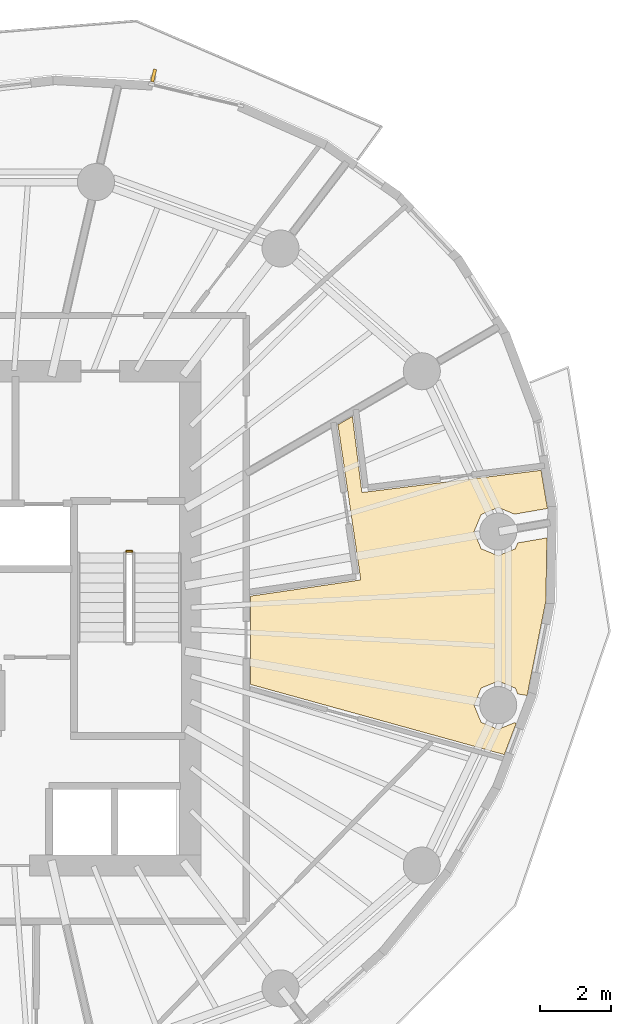
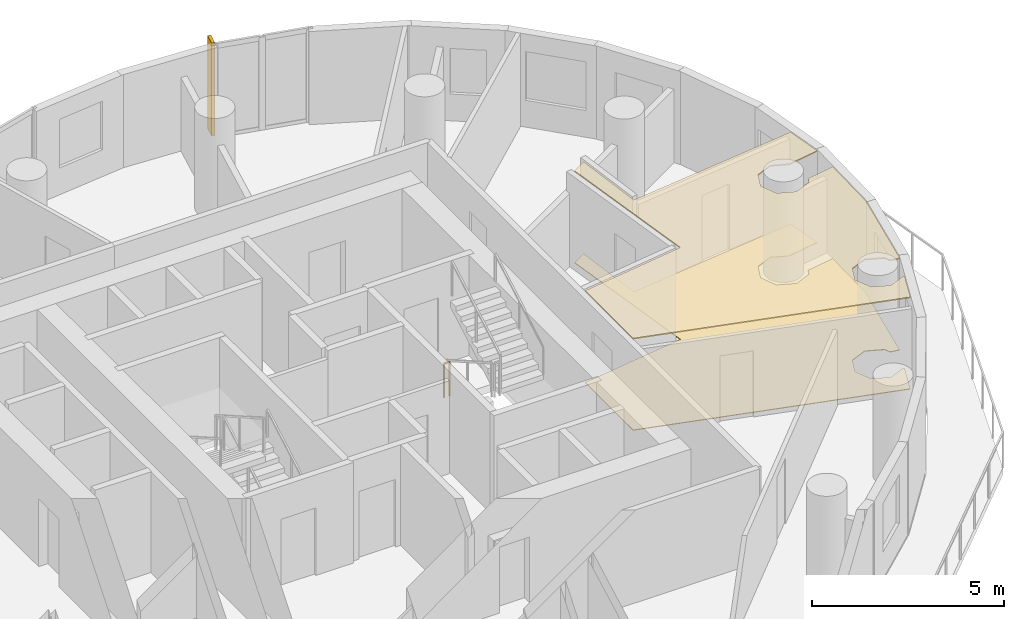
# One storey, part 13 of 13: 2 coverings, 1 railing, 1 shading device.
"""IFC4 building model written with IfcOpenShell, lengths in metres."""

import ifcopenshell
import ifcopenshell.guid

model = None  # the IFC model being written
_history = None  # IfcOwnerHistory: only IFC2X3 demands one
_inside = {}  # id of a spatial element -> (the spatial element, [elements in it])
_under = {}  # id of a project, library or spatial element -> (it, [spatial elements below it])
_declared = {}  # id of a project -> (the project, [libraries it declares])
_typed = {}  # id of a type object -> (the type object, [elements of that type])
_made_of = {}  # id of a material, layer set ... -> (it, [elements and type objects made of it])


def new_model(schema):
    """Start an empty IFC model of exactly this schema.

    Asked for "IFC4X3", IfcOpenShell would pick the latest addendum, in which some entities
    have other attributes; the version numbers below select the first issue.
    IFC2X3 requires an IfcOwnerHistory on every rooted entity: one is made here for all.
    """
    global model, _history
    if schema == "IFC4X3":
        model = ifcopenshell.file(schema_version=(4, 3, 0, 0))
    else:
        model = ifcopenshell.file(schema=schema)
    _inside.clear()
    _under.clear()
    _declared.clear()
    _typed.clear()
    _made_of.clear()
    _history = None
    if model.schema == "IFC2X3":
        org = make("IfcOrganization", Name="unknown")
        user = make(
            "IfcPersonAndOrganization",
            ThePerson=make("IfcPerson", FamilyName="unknown"),
            TheOrganization=org,
        )
        app = make(
            "IfcApplication",
            ApplicationDeveloper=org,
            Version="unknown",
            ApplicationFullName="unknown",
            ApplicationIdentifier="unknown",
        )
        _history = make(
            "IfcOwnerHistory",
            OwningUser=user,
            OwningApplication=app,
            ChangeAction="ADDED",
            CreationDate=0,
        )
    return model


def make(cls, **values):
    """One entity of the class cls with the attributes given. An attribute that is None is left unset."""
    return model.create_entity(
        cls, **{name: value for name, value in values.items() if value is not None}
    )


def rooted(cls, **values):
    """An entity with a GlobalId (a new one), such as an element, a storey or a relation."""
    return make(cls, GlobalId=ifcopenshell.guid.new(), OwnerHistory=_history, **values)


def si_unit(unit_type, name, prefix=None):
    """IfcSIUnit, for example si_unit("LENGTHUNIT", "METRE", prefix="MILLI")."""
    return make("IfcSIUnit", UnitType=unit_type, Prefix=prefix, Name=name)


def assignment(units):
    """IfcUnitAssignment: the units of a project."""
    return None if units is None else make("IfcUnitAssignment", Units=units)


def point(xyz):
    """IfcCartesianPoint."""
    return None if xyz is None else make("IfcCartesianPoint", Coordinates=xyz)


def direction(xyz):
    """IfcDirection."""
    return None if xyz is None else make("IfcDirection", DirectionRatios=xyz)


def frame(location, z_axis=None, x_axis=None):
    """IfcAxis2Placement3D, a coordinate frame: its origin and axes. An axis left out is left unset."""
    return make(
        "IfcAxis2Placement3D",
        Location=point(location),
        Axis=direction(z_axis),
        RefDirection=direction(x_axis),
    )


def frame_2d(location, x_axis=None):
    """IfcAxis2Placement2D, a coordinate frame in the plane: its origin and x axis."""
    return make(
        "IfcAxis2Placement2D", Location=point(location), RefDirection=direction(x_axis)
    )


def origin():
    """The frame at (0, 0, 0) with its axes left unset."""
    return frame((0.0, 0.0, 0.0))


def origin_2d():
    """The frame at (0, 0) in the plane with its x axis left unset."""
    return frame_2d((0.0, 0.0))


def place(relative_to, where):
    """IfcLocalPlacement: puts the frame where relative to a parent placement (None: the world)."""
    return make(
        "IfcLocalPlacement", PlacementRelTo=relative_to, RelativePlacement=where
    )


def context(
    kind, dimensions, precision=None, world=None, true_north=None, identifier=None
):
    """IfcGeometricRepresentationContext, for example the 3D "Model" context."""
    return make(
        "IfcGeometricRepresentationContext",
        ContextIdentifier=identifier,
        ContextType=kind,
        CoordinateSpaceDimension=dimensions,
        Precision=precision,
        WorldCoordinateSystem=world,
        TrueNorth=true_north,
    )


def subcontext(parent, identifier, kind, view, scale=None):
    """IfcGeometricRepresentationSubContext, for example "Body" below "Model"."""
    return make(
        "IfcGeometricRepresentationSubContext",
        ContextIdentifier=identifier,
        ContextType=kind,
        ParentContext=parent,
        TargetScale=scale,
        TargetView=view,
    )


def project(units=None, contexts=None):
    """IfcProject with its units and contexts."""
    return rooted(
        "IfcProject",
        Name="project",
        RepresentationContexts=contexts,
        UnitsInContext=assignment(units),
    )


def spatial(cls, under=None, at=None, **own):
    """A site, building, storey or space (cls), placed at a placement, below another one or the project."""
    s = rooted(cls, ObjectPlacement=at, **own)
    if under is not None:
        _under.setdefault(under.id(), (under, []))[1].append(s)
    return s


def polyline(points):
    """IfcPolyline through the points."""
    return make("IfcPolyline", Points=[point(p) for p in points])


def profile(cls, at=None, kind="AREA", **sizes):
    """A parametric profile (cls). Its sizes go by their IFC names, for example OverallWidth=200.0."""
    return make(cls, ProfileType=kind, Position=at, **sizes)


def rectangle(**sizes):
    """IfcRectangleProfileDef."""
    return profile("IfcRectangleProfileDef", **sizes)


def outline(outer, holes=None, kind="AREA"):
    """IfcArbitraryClosedProfileDef: a profile drawn as a closed curve; with holes, ...WithVoids."""
    if holes is None:
        return make("IfcArbitraryClosedProfileDef", ProfileType=kind, OuterCurve=outer)
    return make(
        "IfcArbitraryProfileDefWithVoids",
        ProfileType=kind,
        OuterCurve=outer,
        InnerCurves=holes,
    )


def extrude(swept, where, along, depth):
    """IfcExtrudedAreaSolid: the profile swept, set in the frame where, extruded along a direction by depth."""
    return make(
        "IfcExtrudedAreaSolid",
        SweptArea=swept,
        Position=where,
        ExtrudedDirection=direction(along),
        Depth=depth,
    )


def shape(context_of_items, identifier, shape_type, items):
    """IfcShapeRepresentation: the items that make up one representation, for example the "Body"."""
    return make(
        "IfcShapeRepresentation",
        ContextOfItems=context_of_items,
        RepresentationIdentifier=identifier,
        RepresentationType=shape_type,
        Items=items,
    )


def material(Name=None, Category=None):
    """IfcMaterial."""
    return make("IfcMaterial", Name=Name, Category=Category)


def layer(
    of_material, thickness, ventilated=None, Name=None, Category=None, Priority=None
):
    """IfcMaterialLayer: one layer of a wall or slab, of a material (None: an air gap)."""
    return make(
        "IfcMaterialLayer",
        Material=of_material,
        LayerThickness=thickness,
        IsVentilated=ventilated,
        Name=Name,
        Category=Category,
        Priority=Priority,
    )


def layer_set(layers, Name=None):
    """IfcMaterialLayerSet."""
    return make("IfcMaterialLayerSet", MaterialLayers=layers, LayerSetName=Name)


def made_of(thing, what):
    """Note that an element or type object is made of a material, layer set ...; save() writes the relation."""
    if what is not None:
        _made_of.setdefault(what.id(), (what, []))[1].append(thing)
    return thing


def type_object(cls, material=None, **own):
    """A type object (cls), such as IfcWallType, which elements share."""
    return made_of(rooted(cls, **own), material)


def element(
    cls,
    number,
    at=None,
    inside=None,
    cuts=None,
    type_object=None,
    material=None,
    context=None,
    identifier="Body",
    shape_type=None,
    held_by="IfcProductDefinitionShape",
    body=None,
    shapes=None,
    **own,
):
    """One element of the class cls, such as IfcWall. Its Tag is "e" and its number.

    at: its placement. inside: the storey or other place that contains it. cuts: it is an
    opening in that element (IfcRelVoidsElement). A single representation is given by context,
    identifier, shape_type and body (its items); several are given by shapes. held_by: the class
    of the entity that holds the representations. save() writes the other relations.
    """
    e = rooted(cls, Tag="e%d" % number, ObjectPlacement=at, **own)
    if body is not None:
        shapes = [shape(context, identifier, shape_type, body)]
    if shapes is not None:
        e.Representation = make(held_by, Representations=shapes)
    if inside is not None:
        _inside.setdefault(inside.id(), (inside, []))[1].append(e)
    if cuts is not None:
        rooted(
            "IfcRelVoidsElement", RelatingBuildingElement=cuts, RelatedOpeningElement=e
        )
    if type_object is not None:
        _typed.setdefault(type_object.id(), (type_object, []))[1].append(e)
    return made_of(e, material)


def aggregate(whole, parts):
    """IfcRelAggregates: a whole, such as a stair, and the parts it consists of."""
    return rooted("IfcRelAggregates", RelatingObject=whole, RelatedObjects=parts)


def save(model, path):
    """Write the relations noted so far, then the file.

    IfcRelAggregates (storeys below a building ...), IfcRelContainedInSpatialStructure (elements
    in a storey), IfcRelDefinesByType, IfcRelAssociatesMaterial and IfcRelDeclares: one each for
    every whole, place, type object, material and project.
    """
    for whole, parts in _under.values():
        aggregate(whole, parts)
    for where, things in _inside.values():
        rooted(
            "IfcRelContainedInSpatialStructure",
            RelatedElements=things,
            RelatingStructure=where,
        )
    for kind, things in _typed.values():
        rooted("IfcRelDefinesByType", RelatedObjects=things, RelatingType=kind)
    for what, things in _made_of.values():
        rooted("IfcRelAssociatesMaterial", RelatedObjects=things, RelatingMaterial=what)
    for by, libraries in _declared.values():
        rooted("IfcRelDeclares", RelatingContext=by, RelatedDefinitions=libraries)
    model.write(path)


model = new_model("IFC4")

# Units and contexts
model_context = context("Model", 3, precision=1e-05, world=origin(), true_north=direction((0.0, 1.0)))
body_context = subcontext(model_context, "Body", "Model", "MODEL_VIEW")
ifc_project = project(units=[si_unit("LENGTHUNIT", "METRE"), si_unit("AREAUNIT", "SQUARE_METRE"), si_unit("VOLUMEUNIT", "CUBIC_METRE"), si_unit("PLANEANGLEUNIT", "RADIAN"), si_unit("MASSUNIT", "GRAM", prefix="KILO")], contexts=[model_context])

# Site, building, storey
site_placement = place(None, origin())
site = spatial("IfcSite", under=ifc_project, at=site_placement, CompositionType="ELEMENT")
building_placement = place(site_placement, origin())
building = spatial("IfcBuilding", under=site, at=building_placement, Name="Veldorim Arch Residences", CompositionType="ELEMENT")
storey_placement = place(building_placement, frame((0.0, 0.0, 152.159912109375)))
storey = spatial("IfcBuildingStorey", under=building, at=storey_placement, Name="L45", CompositionType="ELEMENT", Elevation=152.159912109375)

# Railing
ifc_material_1 = material(Name="Steel S355", Category="steel")
railing_type = type_object("IfcRailingType", Name="Galvanised Steel Stair Safety Guardrail 1100", PredefinedType="GUARDRAIL", material=ifc_material_1)
railing_placement = place(storey_placement, frame((35.68994140625, 25.89990234375, 0.0)))
element("IfcRailing", 1, at=railing_placement, inside=storey, type_object=railing_type, Name="L45 ST-2 stair guard 4", PredefinedType="GUARDRAIL", context=body_context, shape_type="SweptSolid", body=[
    extrude(rectangle(XDim=0.048095703125, YDim=0.048095703125, at=origin_2d()), frame((0.0, 0.0, 1.076171875), z_axis=(1.0, 0.0, 0.0), x_axis=(0.0, 1.0, 0.0)), (0.0, 0.0, 1.0), 0.16015625),
    extrude(rectangle(XDim=0.0419921875, YDim=0.0419921875, at=origin_2d()), origin(), (0.0, 0.0, 1.0), 1.052001953125),
    extrude(rectangle(XDim=0.0419921875, YDim=0.0419921875, at=origin_2d()), frame((0.16015625, 0.0, 0.0)), (0.0, 0.0, 1.0), 1.052001953125),
])

# Coverings
ifc_material_2 = material(Name="Acoustic Gypsum & Mineral Fibre", Category="gypsum")
ifc_layer_1 = layer(ifc_material_2, 0.034912109375, Name="Perforated Acoustic Mineral-Fibre Ceiling 35")
ifc_layer_set_1 = layer_set([ifc_layer_1], Name="Acoustic Gypsum & Mineral Fibre")
covering_type_1 = type_object("IfcCoveringType", Name="Perforated Acoustic Mineral-Fibre Ceiling 35", PredefinedType="CEILING", material=ifc_layer_set_1)
covering_1_placement = place(storey_placement, frame((0.0, 0.0, 2.905029296875)))
element("IfcCovering", 2, at=covering_1_placement, inside=storey, type_object=covering_type_1, Name="L45 acoustic suspended ceiling 02", PredefinedType="CEILING", context=body_context, shape_type="SweptSolid", body=[
    extrude(outline(polyline([(46.734375, 21.038330078125), (46.39306640625, 20.142822265625), (39.199951171875, 22.1328125), (39.199951171875, 24.630859375), (42.32861328125, 25.090087890625), (41.68359375, 29.48388671875), (42.092529296875, 29.72119140625), (42.35888671875, 27.56689453125), (47.433349609375, 28.194580078125), (47.615966796875, 27.114013671875), (46.681396484375, 26.952392578125), (46.221435546875, 27.14306640625), (45.737060546875, 26.9423828125), (45.53662109375, 26.4580078125), (45.737060546875, 25.973876953125), (46.221435546875, 25.773193359375), (46.705810546875, 25.973876953125), (46.77392578125, 26.138916015625), (47.601806640625, 26.281982421875), (47.5693359375, 24.493896484375), (47.048583984375, 21.862548828125), (47.031005859375, 21.81689453125), (46.77392578125, 21.861083984375), (46.705810546875, 22.026123046875), (46.221435546875, 22.226806640625), (45.737060546875, 22.026123046875), (45.53662109375, 21.5419921875), (45.737060546875, 21.0576171875), (46.221435546875, 20.85693359375), (46.681396484375, 21.047607421875), (46.734375, 21.038330078125)])), origin(), (0.0, 0.0, 1.0), 0.03515625),
])
ifc_material_3 = material(Name="Porcelain Ceramic Tile", Category="ceramic")
ifc_layer_2 = layer(ifc_material_3, 0.02001953125, Name="Slip-Resistant Porcelain & Vinyl Floor Finish 20")
ifc_layer_set_2 = layer_set([ifc_layer_2], Name="Porcelain Ceramic Tile")
covering_type_2 = type_object("IfcCoveringType", Name="Slip-Resistant Porcelain & Vinyl Floor Finish 20", PredefinedType="FLOORING", material=ifc_layer_set_2)
covering_2_placement = place(storey_placement, origin())
element("IfcCovering", 3, at=covering_2_placement, inside=storey, type_object=covering_type_2, Name="L45 porcelain floor finish 02", PredefinedType="FLOORING", context=body_context, shape_type="SweptSolid", body=[
    extrude(outline(polyline([(46.734375, 21.038330078125), (46.39306640625, 20.142822265625), (39.199951171875, 22.1328125), (39.199951171875, 24.630859375), (42.32861328125, 25.090087890625), (41.68359375, 29.48388671875), (42.092529296875, 29.72119140625), (42.35888671875, 27.56689453125), (47.433349609375, 28.194580078125), (47.615966796875, 27.114013671875), (46.681396484375, 26.952392578125), (46.221435546875, 27.14306640625), (45.737060546875, 26.9423828125), (45.53662109375, 26.4580078125), (45.737060546875, 25.973876953125), (46.221435546875, 25.773193359375), (46.705810546875, 25.973876953125), (46.77392578125, 26.138916015625), (47.601806640625, 26.281982421875), (47.5693359375, 24.493896484375), (47.048583984375, 21.862548828125), (47.031005859375, 21.81689453125), (46.77392578125, 21.861083984375), (46.705810546875, 22.026123046875), (46.221435546875, 22.226806640625), (45.737060546875, 22.026123046875), (45.53662109375, 21.5419921875), (45.737060546875, 21.0576171875), (46.221435546875, 20.85693359375), (46.681396484375, 21.047607421875), (46.734375, 21.038330078125)])), origin(), (0.0, 0.0, 1.0), 0.02001953125),
])

# Shading device
ifc_material_4 = material(Name="Terracotta Ceramic", Category="masonry")
ifc_layer_3 = layer(ifc_material_4, 0.090087890625, Name="Vertical Extruded Terracotta Baguette Sun-Shading Fin")
ifc_layer_set_3 = layer_set([ifc_layer_3], Name="Terracotta Ceramic")
shading_device_type = type_object("IfcShadingDeviceType", Name="Vertical Extruded Terracotta Baguette Sun-Shading Fin", PredefinedType="USERDEFINED", material=ifc_layer_set_3)
shading_device_placement = place(storey_placement, frame((36.46240234375, 39.377685546875, 0.0), z_axis=(0.0, 0.0, 1.0), x_axis=(0.972977745976, -0.230898908261, 0.0)))
element("IfcShadingDevice", 4, at=shading_device_placement, inside=storey, type_object=shading_device_type, Name="L45 vertical terracotta sun-shading fin 04", ObjectType="FIN", PredefinedType="USERDEFINED", context=body_context, shape_type="SweptSolid", body=[
    extrude(rectangle(XDim=0.090087890625, YDim=0.360107421875, at=origin_2d()), origin(), (0.0, 0.0, 1.0), 2.9599609375),
])

save(model, "model.ifc")
